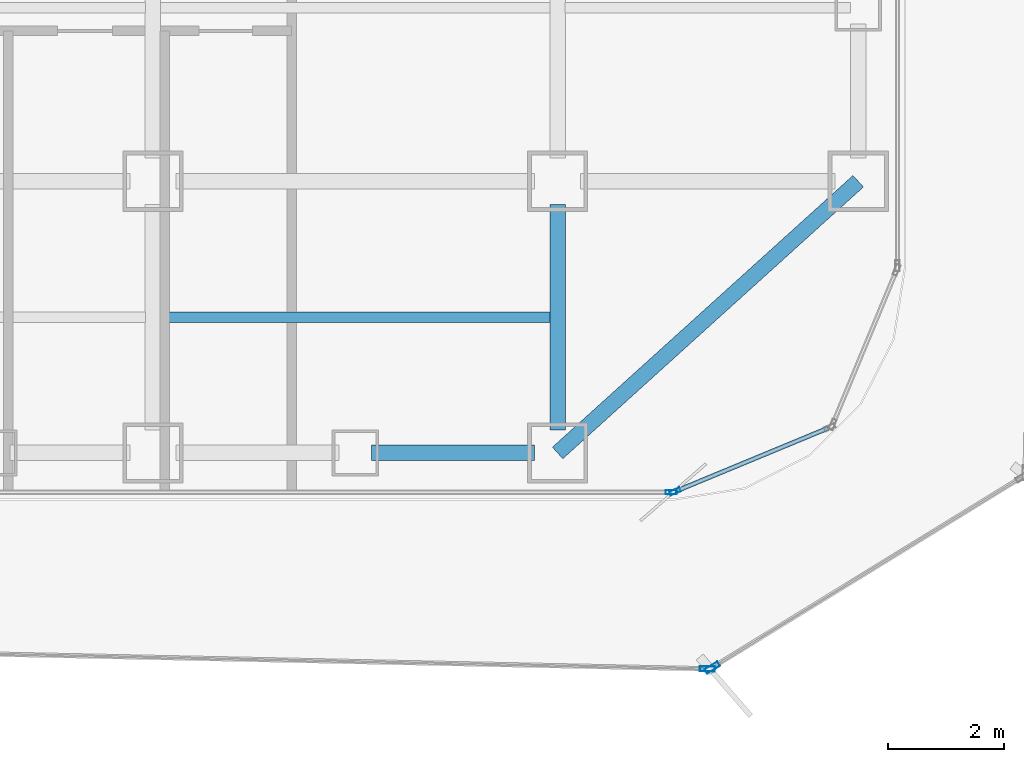
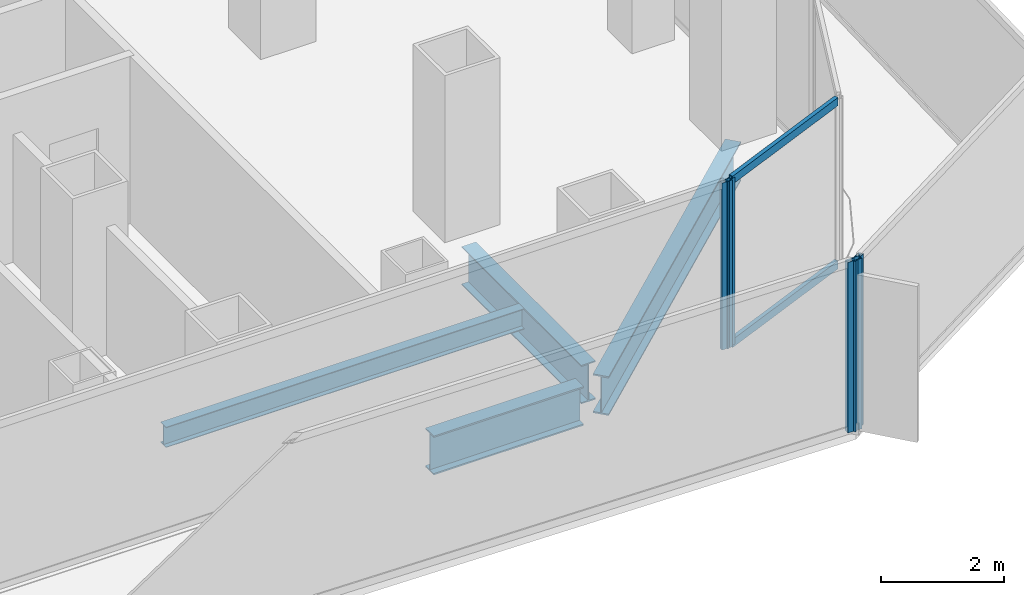
# One storey, part 6 of 21: 6 members, 4 beams, 4 elements without a shape of their own.
"""IFC4 building model written with IfcOpenShell, lengths in metres."""

from ifc_helpers import new_model, si_unit, direction, frame, origin, origin_2d, place, context, subcontext, project, spatial, hollow_rectangle, i_section, extrude, source, transform, mapped, material, layer, layer_set, material_profile, profile_set, type_object, element, aggregate, save


model = new_model("IFC4")

# Units and contexts
model_context = context("Model", 3, precision=1e-05, world=origin(), true_north=direction((0.0, 1.0)))
body_context = subcontext(model_context, "Body", "Model", "MODEL_VIEW")
ifc_project = project(units=[si_unit("LENGTHUNIT", "METRE"), si_unit("AREAUNIT", "SQUARE_METRE"), si_unit("VOLUMEUNIT", "CUBIC_METRE"), si_unit("PLANEANGLEUNIT", "RADIAN"), si_unit("MASSUNIT", "GRAM", prefix="KILO")], contexts=[model_context])

# Site, building, storey
site_placement = place(None, origin())
site = spatial("IfcSite", under=ifc_project, at=site_placement, CompositionType="ELEMENT")
building_placement = place(site_placement, origin())
building = spatial("IfcBuilding", under=site, at=building_placement, Name="Kolveth Station Tower", CompositionType="ELEMENT")
storey_placement = place(building_placement, frame((0.0, 0.0, 44.10009765625)))
storey = spatial("IfcBuildingStorey", under=building, at=storey_placement, Name="L11", CompositionType="ELEMENT", Elevation=44.10009765625)

# Beams
ifc_material_1 = material(Name="Steel S355", Category="steel")
ifc_material_profile_1 = material_profile(ifc_material_1, i_section(OverallWidth=0.26904296875, OverallDepth=0.77490234375, WebThickness=0.01708984375, FlangeThickness=0.0283203125, at=origin_2d()), Name="W760x220")
ifc_profile_set_1 = profile_set([ifc_material_profile_1], Name="Steel S355")
beam_type_1 = type_object("IfcBeamType", Name="Beam_SP1", PredefinedType="SPANDREL", material=ifc_profile_set_1)
shared_shape_1 = source(origin(), body_context, "Body", "SweptSolid", [
    extrude(i_section(OverallWidth=0.26904296875, OverallDepth=0.77490234375, WebThickness=0.01708984375, FlangeThickness=0.0283203125, at=origin_2d()), origin(), (0.0, 0.0, 1.0), 7.00927734375),
])
beam_1_placement = place(storey_placement, frame((41.0, 0.800048828125, -0.66748046875), z_axis=(0.741874009795, 0.670539300557, 0.0), x_axis=(-0.670539300557, 0.741874009795, 0.0)))
element("IfcBeam", 1, at=beam_1_placement, inside=storey, type_object=beam_type_1, Name="L11 Corner Edge Girder BM-L11-CNR-SE", PredefinedType="SPANDREL", context=body_context, shape_type="MappedRepresentation", body=[
    mapped(shared_shape_1, transform((0.0, 0.0, 0.0), x_axis=(1.0, 0.0, 0.0), y_axis=(0.0, 1.0, 0.0), z_axis=(0.0, 0.0, 1.0), scale=1.0)),
])
shared_shape_2 = source(origin(), body_context, "Body", "SweptSolid", [
    extrude(i_section(OverallWidth=0.26904296875, OverallDepth=0.77490234375, WebThickness=0.01708984375, FlangeThickness=0.0283203125, at=origin_2d()), origin(), (0.0, 0.0, 1.0), 2.820068359375),
])
beam_2_placement = place(storey_placement, frame((37.780029296875, 0.800048828125, -0.66748046875), z_axis=(1.0, 0.0, 0.0), x_axis=(0.0, 1.0, 0.0)))
element("IfcBeam", 2, at=beam_2_placement, inside=storey, type_object=beam_type_1, Name="L11 Perimeter Spandrel BM-L11-PS-10", PredefinedType="SPANDREL", context=body_context, shape_type="MappedRepresentation", body=[
    mapped(shared_shape_2, transform((0.0, 0.0, 0.0), x_axis=(1.0, 0.0, 0.0), y_axis=(0.0, 1.0, 0.0), z_axis=(0.0, 0.0, 1.0), scale=1.0)),
])
ifc_material_profile_2 = material_profile(ifc_material_1, i_section(OverallWidth=0.26708984375, OverallDepth=0.76611328125, WebThickness=0.014892578125, FlangeThickness=0.023681640625, at=origin_2d()), Name="W760x185")
ifc_profile_set_2 = profile_set([ifc_material_profile_2], Name="Steel S355")
beam_type_2 = type_object("IfcBeamType", Name="Beam_B3", PredefinedType="BEAM", material=ifc_profile_set_2)
shared_shape_3 = source(origin(), body_context, "Body", "SweptSolid", [
    extrude(i_section(OverallWidth=0.26708984375, OverallDepth=0.76611328125, WebThickness=0.014892578125, FlangeThickness=0.023681640625, at=origin_2d()), origin(), (0.0, 0.0, 1.0), 3.900146484375),
])
beam_3_placement = place(storey_placement, frame((41.0, 1.199951171875, -0.6630859375), z_axis=(0.0, 1.0, 0.0), x_axis=(-1.0, 0.0, 0.0)))
element("IfcBeam", 3, at=beam_3_placement, inside=storey, type_object=beam_type_2, Name="L11 Primary Girder BM-L11-GX410-1", PredefinedType="BEAM", context=body_context, shape_type="MappedRepresentation", body=[
    mapped(shared_shape_3, transform((0.0, 0.0, 0.0), x_axis=(1.0, 0.0, 0.0), y_axis=(0.0, 1.0, 0.0), z_axis=(0.0, 0.0, 1.0), scale=1.0)),
])
ifc_material_profile_3 = material_profile(ifc_material_1, i_section(OverallWidth=0.177978515625, OverallDepth=0.406982421875, WebThickness=0.0078125, FlangeThickness=0.0126953125, at=origin_2d()), Name="W410x60")
ifc_profile_set_3 = profile_set([ifc_material_profile_3], Name="Steel S355")
beam_type_3 = type_object("IfcBeamType", Name="Beam_J1", PredefinedType="JOIST", material=ifc_profile_set_3)
shared_shape_4 = source(origin(), body_context, "Body", "SweptSolid", [
    extrude(i_section(OverallWidth=0.177978515625, OverallDepth=0.406982421875, WebThickness=0.0078125, FlangeThickness=0.0126953125, at=origin_2d()), origin(), (0.0, 0.0, 1.0), 6.73681640625),
])
beam_4_placement = place(storey_placement, frame((34.131591796875, 3.14990234375, -0.483642578125), z_axis=(1.0, 0.0, 0.0), x_axis=(0.0, 1.0, 0.0)))
element("IfcBeam", 4, at=beam_4_placement, inside=storey, type_object=beam_type_3, Name="L11 Secondary Joist JST-L11-6-1", PredefinedType="JOIST", context=body_context, shape_type="MappedRepresentation", body=[
    mapped(shared_shape_4, transform((0.0, 0.0, 0.0), x_axis=(1.0, 0.0, 0.0), y_axis=(0.0, 1.0, 0.0), z_axis=(0.0, 0.0, 1.0), scale=1.0)),
])

# Curtain wall, members
ifc_material_2 = material(Name="Aluminium 6063-T6 and low-E dark glass", Category="aluminium")
ifc_layer_1 = layer(ifc_material_2, 0.179931640625)
ifc_layer_set_1 = layer_set([ifc_layer_1], Name="Aluminium 6063-T6 and low-E dark glass")
curtain_wall_type_1 = type_object("IfcCurtainWallType", Name="CurtainWall_CW-Z1", PredefinedType="NOTDEFINED", material=ifc_layer_set_1)
curtain_wall_1_placement = place(storey_placement, origin())
curtain_wall_1 = element("IfcCurtainWall", 5, at=curtain_wall_1_placement, inside=storey, type_object=curtain_wall_type_1, Name="L11 Inner Thermal Curtain Wall 1", PredefinedType="NOTDEFINED")
ifc_material_3 = material(Name="Black anodized aluminium 6063-T6", Category="aluminium")
ifc_material_profile_4 = material_profile(ifc_material_3, hollow_rectangle(XDim=0.074951171875, YDim=0.159912109375, WallThickness=0.0048828125, at=origin_2d()), Name="ALU-75x160x5")
ifc_profile_set_4 = profile_set([ifc_material_profile_4], Name="Black anodized aluminium 6063-T6")
member_type_1 = type_object("IfcMemberType", Name="Transom_TR1", PredefinedType="USERDEFINED", material=ifc_profile_set_4)
shared_shape_5 = source(origin(), body_context, "Body", "SweptSolid", [
    extrude(hollow_rectangle(XDim=0.074951171875, YDim=0.159912109375, WallThickness=0.0048828125, at=origin_2d()), origin(), (0.0, 0.0, 1.0), 2.819580078125),
])
member_1_placement = place(storey_placement, frame((43.0693359375, 0.148681640625, 0.037353515625), z_axis=(0.923869084389, 0.382708655389, 0.0), x_axis=(-0.382708655389, 0.923869084389, 0.0)))
member_1 = element("IfcMember", 6, at=member_1_placement, type_object=member_type_1, Name="CW-Z1 transom 1.1", ObjectType="TRANSOM", PredefinedType="USERDEFINED", context=body_context, shape_type="MappedRepresentation", body=[
    mapped(shared_shape_5, transform((0.0, 0.0, 0.0), x_axis=(1.0, 0.0, 0.0), y_axis=(0.0, 1.0, 0.0), z_axis=(0.0, 0.0, 1.0), scale=1.0)),
])
member_2_placement = place(storey_placement, frame((43.0693359375, 0.148681640625, 3.282470703125), z_axis=(0.923869084389, 0.382708655389, 0.0), x_axis=(-0.382708655389, 0.923869084389, 0.0)))
member_2 = element("IfcMember", 7, at=member_2_placement, type_object=member_type_1, Name="CW-Z1 transom 1.2", ObjectType="TRANSOM", PredefinedType="USERDEFINED", context=body_context, shape_type="MappedRepresentation", body=[
    mapped(shared_shape_5, transform((0.0, 0.0, 0.0), x_axis=(1.0, 0.0, 0.0), y_axis=(0.0, 1.0, 0.0), z_axis=(0.0, 0.0, 1.0), scale=1.0)),
])

# Curtain wall, member
ifc_material_4 = material(Name="Black anodized aluminium 6063-T6 and dark solar glass", Category="aluminium")
ifc_layer_2 = layer(ifc_material_4, 0.159912109375)
ifc_layer_set_2 = layer_set([ifc_layer_2], Name="Black anodized aluminium 6063-T6 and dark solar glass")
curtain_wall_type_2 = type_object("IfcCurtainWallType", Name="OUTER SKIN CW-OS", PredefinedType="NOTDEFINED", material=ifc_layer_set_2)
curtain_wall_2_placement = place(storey_placement, origin())
curtain_wall_2 = element("IfcCurtainWall", 8, at=curtain_wall_2_placement, inside=storey, type_object=curtain_wall_type_2, Name="L11 Outer Ventilated Skin Curtain Wall 1", PredefinedType="NOTDEFINED")
ifc_material_profile_5 = material_profile(ifc_material_3, hollow_rectangle(XDim=0.090087890625, YDim=0.260009765625, WallThickness=0.0048828125, at=origin_2d()), Name="ALU-90x260x5")
ifc_profile_set_5 = profile_set([ifc_material_profile_5], Name="Black anodized aluminium 6063-T6")
member_type_2 = type_object("IfcMemberType", Name="FIN MULLION ML-OS", PredefinedType="MULLION", material=ifc_profile_set_5)
shared_shape_6 = source(origin(), body_context, "Body", "SweptSolid", [
    extrude(hollow_rectangle(XDim=0.090087890625, YDim=0.260009765625, WallThickness=0.0048828125, at=origin_2d()), origin(), (0.0, 0.0, 1.0), 3.389892578125),
])
member_3_placement = place(storey_placement, frame((43.675537109375, -2.913818359375, 0.0), z_axis=(0.0, 0.0, 1.0), x_axis=(-0.523735566798, 0.851880893124, 0.0)))
member_3 = element("IfcMember", 9, at=member_3_placement, type_object=member_type_2, Name="CW-OS mullion 1", PredefinedType="MULLION", context=body_context, shape_type="MappedRepresentation", body=[
    mapped(shared_shape_6, transform((0.0, 0.0, 0.0), x_axis=(1.0, 0.0, 0.0), y_axis=(0.0, 1.0, 0.0), z_axis=(0.0, 0.0, 1.0), scale=1.0)),
])
aggregate(curtain_wall_2, [member_3])

curtain_wall_3_placement = place(storey_placement, origin())
curtain_wall_3 = element("IfcCurtainWall", 10, at=curtain_wall_3_placement, inside=storey, type_object=curtain_wall_type_2, Name="L11 Outer Ventilated Skin Curtain Wall 8", PredefinedType="NOTDEFINED")
member_4_placement = place(storey_placement, frame((43.592041015625, -2.9365234375, 0.0), z_axis=(0.0, 0.0, 1.0), x_axis=(0.020609842001, 0.999787594648, 0.0)))
member_4 = element("IfcMember", 11, at=member_4_placement, type_object=member_type_2, Name="CW-OS mullion 2", PredefinedType="MULLION", context=body_context, shape_type="MappedRepresentation", body=[
    mapped(shared_shape_6, transform((0.0, 0.0, 0.0), x_axis=(1.0, 0.0, 0.0), y_axis=(0.0, 1.0, 0.0), z_axis=(0.0, 0.0, 1.0), scale=1.0)),
])
aggregate(curtain_wall_3, [member_4])

# Member
ifc_material_profile_6 = material_profile(ifc_material_3, hollow_rectangle(XDim=0.074951171875, YDim=0.18994140625, WallThickness=0.0048828125, at=origin_2d()), Name="ALU-75x190x5")
ifc_profile_set_6 = profile_set([ifc_material_profile_6], Name="Black anodized aluminium 6063-T6")
member_type_3 = type_object("IfcMemberType", Name="Mullion_ML1", PredefinedType="MULLION", material=ifc_profile_set_6)
shared_shape_7 = source(origin(), body_context, "Body", "SweptSolid", [
    extrude(hollow_rectangle(XDim=0.074951171875, YDim=0.18994140625, WallThickness=0.0048828125, at=origin_2d()), origin(), (0.0, 0.0, 1.0), 3.31982421875),
])
member_5_placement = place(storey_placement, frame((43.03466796875, 0.13427734375, 0.0), z_axis=(0.0, 0.0, 1.0), x_axis=(-0.382672990201, 0.923883857728, 0.0)))
member_5 = element("IfcMember", 12, at=member_5_placement, type_object=member_type_3, Name="CW-Z1 mullion 1", PredefinedType="MULLION", context=body_context, shape_type="MappedRepresentation", body=[
    mapped(shared_shape_7, transform((0.0, 0.0, 0.0), x_axis=(1.0, 0.0, 0.0), y_axis=(0.0, 1.0, 0.0), z_axis=(0.0, 0.0, 1.0), scale=1.0)),
])

aggregate(curtain_wall_1, [member_5, member_1, member_2])

# Curtain wall, member
curtain_wall_4_placement = place(storey_placement, origin())
curtain_wall_4 = element("IfcCurtainWall", 13, at=curtain_wall_4_placement, inside=storey, type_object=curtain_wall_type_1, Name="L11 Inner Thermal Curtain Wall 12", PredefinedType="NOTDEFINED")
member_6_placement = place(storey_placement, frame((42.96240234375, 0.1201171875, 0.0), z_axis=(0.0, 0.0, 1.0), x_axis=(0.0, 1.0, 0.0)))
member_6 = element("IfcMember", 14, at=member_6_placement, type_object=member_type_3, Name="CW-Z1 mullion 3", PredefinedType="MULLION", context=body_context, shape_type="MappedRepresentation", body=[
    mapped(shared_shape_7, transform((0.0, 0.0, 0.0), x_axis=(1.0, 0.0, 0.0), y_axis=(0.0, 1.0, 0.0), z_axis=(0.0, 0.0, 1.0), scale=1.0)),
])
aggregate(curtain_wall_4, [member_6])

save(model, "model.ifc")
